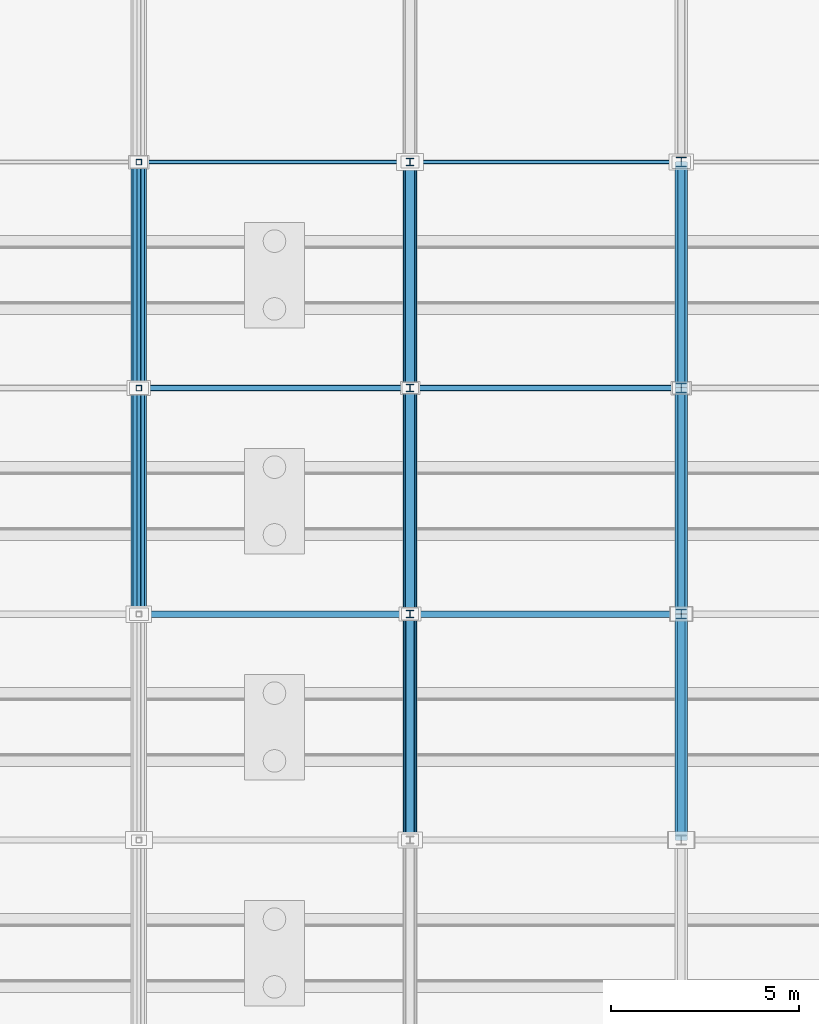
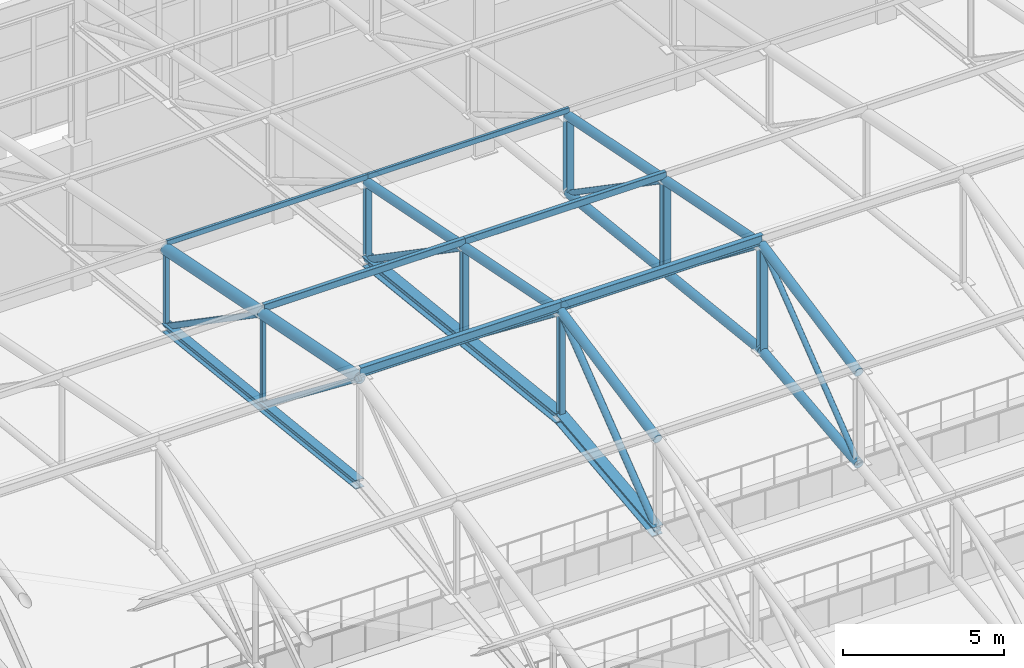
# One storey, part 143 of 293: 38 members.
"""IFC4 building model written with IfcOpenShell, lengths in metres."""

from ifc_helpers import new_model, si_unit, direction, frame, origin, origin_2d, place, context, subcontext, project, spatial, hollow_rectangle, hollow_circle, i_section, extrude, material, material_profile, profile_set, type_object, element, save


model = new_model("IFC4")

# Units and contexts
model_context = context("Model", 3, precision=1e-05, world=origin(), true_north=direction((0.0, 1.0)))
body_context = subcontext(model_context, "Body", "Model", "MODEL_VIEW")
ifc_project = project(units=[si_unit("LENGTHUNIT", "METRE"), si_unit("AREAUNIT", "SQUARE_METRE"), si_unit("VOLUMEUNIT", "CUBIC_METRE"), si_unit("PLANEANGLEUNIT", "RADIAN"), si_unit("MASSUNIT", "GRAM", prefix="KILO")], contexts=[model_context])

# Site, building, storey
site_placement = place(None, origin())
site = spatial("IfcSite", under=ifc_project, at=site_placement, CompositionType="ELEMENT")
building_placement = place(site_placement, origin())
building = spatial("IfcBuilding", under=site, at=building_placement, Name="Kemerveld Promenade Tramway Depot", CompositionType="ELEMENT")
storey_placement = place(building_placement, origin())
storey = spatial("IfcBuildingStorey", under=building, at=storey_placement, Name="L00", CompositionType="ELEMENT", Elevation=0.0)

# Members
ifc_material = material(Name="Steel S355", Category="steel")
ifc_material_profile_1 = material_profile(ifc_material, hollow_rectangle(XDim=0.10009765625, YDim=0.199951171875, WallThickness=0.008056640625, InnerFilletRadius=0.00390625, OuterFilletRadius=0.011962890625, at=origin_2d()), Name="200x100x8.0 RHS")
ifc_profile_set_1 = profile_set([ifc_material_profile_1], Name="Steel S355")
member_type_1 = type_object("IfcMemberType", Name="MB-M03", PredefinedType="BRACE", material=ifc_profile_set_1)
member_1_placement = place(storey_placement, frame((79.199951171875, 120.0, 12.43994140625), z_axis=(0.0, -0.789767329101, 0.613406525793), x_axis=(1.0, 0.0, 0.0)))
element("IfcMember", 1, at=member_1_placement, inside=storey, type_object=member_type_1, Name="TR-12-DG-06", PredefinedType="BRACE", context=body_context, shape_type="SweptSolid", body=[
    extrude(hollow_rectangle(XDim=0.10009765625, YDim=0.199951171875, WallThickness=0.008056640625, InnerFilletRadius=0.00390625, OuterFilletRadius=0.011962890625, at=origin_2d()), origin(), (0.0, 0.0, 1.0), 7.59716796875),
])
member_2_placement = place(storey_placement, frame((79.199951171875, 126.0, 11.780029296875), z_axis=(0.0, -0.824370638462, 0.566050395673), x_axis=(1.0, 0.0, 0.0)))
element("IfcMember", 2, at=member_2_placement, inside=storey, type_object=member_type_1, Name="TR-12-DG-07", PredefinedType="BRACE", context=body_context, shape_type="SweptSolid", body=[
    extrude(hollow_rectangle(XDim=0.10009765625, YDim=0.199951171875, WallThickness=0.008056640625, InnerFilletRadius=0.00390625, OuterFilletRadius=0.011962890625, at=origin_2d()), origin(), (0.0, 0.0, 1.0), 7.2783203125),
])
ifc_material_profile_2 = material_profile(ifc_material, i_section(OverallWidth=0.25634765625, OverallDepth=0.26025390625, WebThickness=0.01025390625, FlangeThickness=0.017333984375, FilletRadius=0.0126953125, at=origin_2d()), Name="254x254x89 UC")
ifc_profile_set_2 = profile_set([ifc_material_profile_2], Name="Steel S355")
member_type_2 = type_object("IfcMemberType", Name="MB-M04", PredefinedType="POST", material=ifc_profile_set_2)
member_3_placement = place(storey_placement, frame((93.60009765625, 114.0, 13.10009765625), z_axis=(0.0, 0.0, 1.0), x_axis=(1.0, 0.0, 0.0)))
element("IfcMember", 3, at=member_3_placement, inside=storey, type_object=member_type_2, Name="TR-14-VT-05", PredefinedType="POST", context=body_context, shape_type="SweptSolid", body=[
    extrude(i_section(OverallWidth=0.25634765625, OverallDepth=0.26025390625, WebThickness=0.01025390625, FlangeThickness=0.017333984375, FilletRadius=0.0126953125, at=origin_2d()), origin(), (0.0, 0.0, 1.0), 4.0),
])
member_4_placement = place(storey_placement, frame((93.60009765625, 120.0, 12.43994140625), z_axis=(0.0, 0.0, 1.0), x_axis=(1.0, 0.0, 0.0)))
element("IfcMember", 4, at=member_4_placement, inside=storey, type_object=member_type_2, Name="TR-14-VT-06", PredefinedType="POST", context=body_context, shape_type="SweptSolid", body=[
    extrude(i_section(OverallWidth=0.25634765625, OverallDepth=0.26025390625, WebThickness=0.01025390625, FlangeThickness=0.017333984375, FilletRadius=0.0126953125, at=origin_2d()), origin(), (0.0, 0.0, 1.0), 3.4599609375),
])
member_5_placement = place(storey_placement, frame((93.60009765625, 126.0, 11.780029296875), z_axis=(0.0, 0.0, 1.0), x_axis=(1.0, 0.0, 0.0)))
element("IfcMember", 5, at=member_5_placement, inside=storey, type_object=member_type_2, Name="TR-14-VT-07", PredefinedType="POST", context=body_context, shape_type="SweptSolid", body=[
    extrude(i_section(OverallWidth=0.25634765625, OverallDepth=0.26025390625, WebThickness=0.01025390625, FlangeThickness=0.017333984375, FilletRadius=0.0126953125, at=origin_2d()), origin(), (0.0, 0.0, 1.0), 2.919921875),
])
ifc_material_profile_3 = material_profile(ifc_material, i_section(OverallWidth=0.172119140625, OverallDepth=0.35791015625, WebThickness=0.008056640625, FlangeThickness=0.012939453125, FilletRadius=0.01025390625, at=origin_2d()), Name="356x171x57 UB")
ifc_profile_set_3 = profile_set([ifc_material_profile_3], Name="Steel S355")
member_type_3 = type_object("IfcMemberType", Name="MB-M07", PredefinedType="PURLIN", material=ifc_profile_set_3)
member_6_placement = place(storey_placement, frame((79.199951171875, 114.0, 17.344970703125), z_axis=(1.0, 0.0, 0.0), x_axis=(0.0, 1.0, 0.0)))
element("IfcMember", 6, at=member_6_placement, inside=storey, type_object=member_type_3, Name="PUR-V1-05-12", PredefinedType="PURLIN", context=body_context, shape_type="SweptSolid", body=[
    extrude(i_section(OverallWidth=0.172119140625, OverallDepth=0.35791015625, WebThickness=0.008056640625, FlangeThickness=0.012939453125, FilletRadius=0.01025390625, at=origin_2d()), origin(), (0.0, 0.0, 1.0), 7.199951171875),
])
member_7_placement = place(storey_placement, frame((86.39990234375, 114.0, 17.344970703125), z_axis=(1.0, 0.0, 0.0), x_axis=(0.0, 1.0, 0.0)))
element("IfcMember", 7, at=member_7_placement, inside=storey, type_object=member_type_3, Name="PUR-V1-05-13", PredefinedType="PURLIN", context=body_context, shape_type="SweptSolid", body=[
    extrude(i_section(OverallWidth=0.172119140625, OverallDepth=0.35791015625, WebThickness=0.008056640625, FlangeThickness=0.012939453125, FilletRadius=0.01025390625, at=origin_2d()), origin(), (0.0, 0.0, 1.0), 7.2001953125),
])
ifc_material_profile_4 = material_profile(ifc_material, i_section(OverallWidth=0.37255859375, OverallDepth=0.3681640625, WebThickness=0.014404296875, FlangeThickness=0.023681640625, FilletRadius=0.01513671875, at=origin_2d()), Name="356x368x177 UC")
ifc_profile_set_4 = profile_set([ifc_material_profile_4], Name="Steel S355")
member_type_4 = type_object("IfcMemberType", Name="MB-M08", PredefinedType="CHORD", material=ifc_profile_set_4)
for number, where, z_axis, x_axis, name in (
    (8, (86.39990234375, 108.0, 12.43994140625), (0.0, 0.994001542248, 0.109366055104), (-1.0, 0.0, 0.0), "TR-13-BC-05"),
    (9, (86.39990234375, 114.0, 13.10009765625), (0.0, 0.994001542248, -0.109366055104), (-1.0, 0.0, 0.0), "TR-13-BC-06"),
    (10, (86.39990234375, 120.0, 12.43994140625), (0.0, 0.994005938353, -0.109326092585), (-1.0, 0.0, 0.0), "TR-13-BC-07"),
):
    element("IfcMember", number, at=place(storey_placement, frame(where, z_axis=z_axis, x_axis=x_axis)), inside=storey, type_object=member_type_4, Name=name, PredefinedType="CHORD", context=body_context, shape_type="SweptSolid", body=[
        extrude(i_section(OverallWidth=0.37255859375, OverallDepth=0.3681640625, WebThickness=0.014404296875, FlangeThickness=0.023681640625, FilletRadius=0.01513671875, at=origin_2d()), origin(), (0.0, 0.0, 1.0), 6.0361328125),
    ])
ifc_material_profile_5 = material_profile(ifc_material, hollow_rectangle(XDim=0.14990234375, YDim=0.25, WallThickness=0.010009765625, InnerFilletRadius=0.0048828125, OuterFilletRadius=0.014892578125, at=origin_2d()), Name="250x150x10.0 RHS")
ifc_profile_set_5 = profile_set([ifc_material_profile_5], Name="Steel S355")
member_type_5 = type_object("IfcMemberType", Name="MB-PR1", PredefinedType="PURLIN", material=ifc_profile_set_5)
member_8_placement = place(storey_placement, frame((79.199951171875, 120.0, 16.14501953125), z_axis=(1.0, 0.0, 0.0), x_axis=(0.0, 1.0, 0.0)))
element("IfcMember", 11, at=member_8_placement, inside=storey, type_object=member_type_5, Name="PUR-V1-06-12", PredefinedType="PURLIN", context=body_context, shape_type="SweptSolid", body=[
    extrude(hollow_rectangle(XDim=0.14990234375, YDim=0.25, WallThickness=0.010009765625, InnerFilletRadius=0.0048828125, OuterFilletRadius=0.014892578125, at=origin_2d()), origin(), (0.0, 0.0, 1.0), 7.199951171875),
])
member_9_placement = place(storey_placement, frame((86.39990234375, 120.0, 16.14501953125), z_axis=(1.0, 0.0, 0.0), x_axis=(0.0, 1.0, 0.0)))
element("IfcMember", 12, at=member_9_placement, inside=storey, type_object=member_type_5, Name="PUR-V1-06-13", PredefinedType="PURLIN", context=body_context, shape_type="SweptSolid", body=[
    extrude(hollow_rectangle(XDim=0.14990234375, YDim=0.25, WallThickness=0.010009765625, InnerFilletRadius=0.0048828125, OuterFilletRadius=0.014892578125, at=origin_2d()), origin(), (0.0, 0.0, 1.0), 7.2001953125),
])
ifc_material_profile_6 = material_profile(ifc_material, hollow_rectangle(XDim=0.10009765625, YDim=0.199951171875, WallThickness=0.008056640625, InnerFilletRadius=0.00390625, OuterFilletRadius=0.011962890625, at=origin_2d()), Name="200x100x8.0 RHS")
ifc_profile_set_6 = profile_set([ifc_material_profile_6], Name="Steel S355")
member_type_6 = type_object("IfcMemberType", Name="MB-PR2", PredefinedType="PURLIN", material=ifc_profile_set_6)
member_10_placement = place(storey_placement, frame((79.199951171875, 126.0, 14.945068359375), z_axis=(1.0, 0.0, 0.0), x_axis=(0.0, 1.0, 0.0)))
element("IfcMember", 13, at=member_10_placement, inside=storey, type_object=member_type_6, Name="PUR-V1-07-12", PredefinedType="PURLIN", context=body_context, shape_type="SweptSolid", body=[
    extrude(hollow_rectangle(XDim=0.10009765625, YDim=0.199951171875, WallThickness=0.008056640625, InnerFilletRadius=0.00390625, OuterFilletRadius=0.011962890625, at=origin_2d()), origin(), (0.0, 0.0, 1.0), 7.199951171875),
])
member_11_placement = place(storey_placement, frame((86.39990234375, 126.0, 14.945068359375), z_axis=(1.0, 0.0, 0.0), x_axis=(0.0, 1.0, 0.0)))
element("IfcMember", 14, at=member_11_placement, inside=storey, type_object=member_type_6, Name="PUR-V1-07-13", PredefinedType="PURLIN", context=body_context, shape_type="SweptSolid", body=[
    extrude(hollow_rectangle(XDim=0.10009765625, YDim=0.199951171875, WallThickness=0.008056640625, InnerFilletRadius=0.00390625, OuterFilletRadius=0.011962890625, at=origin_2d()), origin(), (0.0, 0.0, 1.0), 7.2001953125),
])
ifc_material_profile_7 = material_profile(ifc_material, hollow_circle(Radius=0.122314453125, WallThickness=0.010009765625, at=origin_2d()), Name="244.5x10.0 CHS")
ifc_profile_set_7 = profile_set([ifc_material_profile_7], Name="Steel S355")
member_type_7 = type_object("IfcMemberType", Name="MB-TB1", PredefinedType="BRACE", material=ifc_profile_set_7)
for number, where, z_axis, x_axis, name in (
    (15, (86.39990234375, 108.0, 12.43994140625), (0.0, 0.789767329101, 0.613406525793), (-1.0, 0.0, 0.0), "TR-13-DG-05"),
    (16, (86.39990234375, 120.0, 12.43994140625), (0.0, -0.789767329101, 0.613406525793), (1.0, 0.0, 0.0), "TR-13-DG-06"),
):
    element("IfcMember", number, at=place(storey_placement, frame(where, z_axis=z_axis, x_axis=x_axis)), inside=storey, type_object=member_type_7, Name=name, PredefinedType="BRACE", context=body_context, shape_type="SweptSolid", body=[
        extrude(hollow_circle(Radius=0.122314453125, WallThickness=0.010009765625, at=origin_2d()), origin(), (0.0, 0.0, 1.0), 7.59716796875),
    ])
member_12_placement = place(storey_placement, frame((86.39990234375, 126.0, 11.780029296875), z_axis=(0.0, -0.824370638462, 0.566050395673), x_axis=(1.0, 0.0, 0.0)))
element("IfcMember", 17, at=member_12_placement, inside=storey, type_object=member_type_7, Name="TR-13-DG-07", PredefinedType="BRACE", context=body_context, shape_type="SweptSolid", body=[
    extrude(hollow_circle(Radius=0.122314453125, WallThickness=0.010009765625, at=origin_2d()), origin(), (0.0, 0.0, 1.0), 7.2783203125),
])
ifc_material_profile_8 = material_profile(ifc_material, hollow_circle(Radius=0.096923828125, WallThickness=0.008056640625, at=origin_2d()), Name="193.7x8.0 CHS")
ifc_profile_set_8 = profile_set([ifc_material_profile_8], Name="Steel S355")
member_type_8 = type_object("IfcMemberType", Name="MB-TB2", PredefinedType="BRACE", material=ifc_profile_set_8)
for number, where, z_axis, x_axis, name in (
    (18, (93.60009765625, 108.0, 12.43994140625), (0.0, 0.789767329101, 0.613406525793), (-1.0, 0.0, 0.0), "TR-14-DG-05"),
    (19, (93.60009765625, 120.0, 12.43994140625), (0.0, -0.789767329101, 0.613406525793), (1.0, 0.0, 0.0), "TR-14-DG-06"),
):
    element("IfcMember", number, at=place(storey_placement, frame(where, z_axis=z_axis, x_axis=x_axis)), inside=storey, type_object=member_type_8, Name=name, PredefinedType="BRACE", context=body_context, shape_type="SweptSolid", body=[
        extrude(hollow_circle(Radius=0.096923828125, WallThickness=0.008056640625, at=origin_2d()), origin(), (0.0, 0.0, 1.0), 7.59716796875),
    ])
member_13_placement = place(storey_placement, frame((93.60009765625, 126.0, 11.780029296875), z_axis=(0.0, -0.824370638462, 0.566050395673), x_axis=(1.0, 0.0, 0.0)))
element("IfcMember", 20, at=member_13_placement, inside=storey, type_object=member_type_8, Name="TR-14-DG-07", PredefinedType="BRACE", context=body_context, shape_type="SweptSolid", body=[
    extrude(hollow_circle(Radius=0.096923828125, WallThickness=0.008056640625, at=origin_2d()), origin(), (0.0, 0.0, 1.0), 7.2783203125),
])
ifc_material_profile_9 = material_profile(ifc_material, hollow_circle(Radius=0.203125, WallThickness=0.01611328125, at=origin_2d()), Name="406.4x16.0 CHS")
ifc_profile_set_9 = profile_set([ifc_material_profile_9], Name="Steel S355")
member_type_9 = type_object("IfcMemberType", Name="MB-TC1", PredefinedType="CHORD", material=ifc_profile_set_9)
for number, where, z_axis, x_axis, name in (
    (21, (79.199951171875, 114.0, 17.10009765625), (0.0, 0.980574536798, -0.196146827104), (-1.0, 0.0, 0.0), "TR-12-TC-06"),
    (22, (79.199951171875, 120.0, 15.89990234375), (0.0, 0.980582210276, -0.196108462057), (-1.0, 0.0, 0.0), "TR-12-TC-07"),
):
    element("IfcMember", number, at=place(storey_placement, frame(where, z_axis=z_axis, x_axis=x_axis)), inside=storey, type_object=member_type_9, Name=name, PredefinedType="CHORD", context=body_context, shape_type="SweptSolid", body=[
        extrude(hollow_circle(Radius=0.203125, WallThickness=0.01611328125, at=origin_2d()), origin(), (0.0, 0.0, 1.0), 6.118896484375),
    ])
ifc_material_profile_10 = material_profile(ifc_material, hollow_circle(Radius=0.161865234375, WallThickness=0.012451171875, at=origin_2d()), Name="323.9x12.5 CHS")
ifc_profile_set_10 = profile_set([ifc_material_profile_10], Name="Steel S355")
member_type_10 = type_object("IfcMemberType", Name="MB-TC2", PredefinedType="CHORD", material=ifc_profile_set_10)
for number, where, z_axis, x_axis, name in (
    (23, (86.39990234375, 108.0, 15.89990234375), (0.0, 0.980574536798, 0.196146827104), (-1.0, 0.0, 0.0), "TR-13-TC-05"),
    (24, (86.39990234375, 114.0, 17.10009765625), (0.0, 0.980574536798, -0.196146827104), (-1.0, 0.0, 0.0), "TR-13-TC-06"),
    (25, (86.39990234375, 120.0, 15.89990234375), (0.0, 0.980582210276, -0.196108462057), (-1.0, 0.0, 0.0), "TR-13-TC-07"),
    (26, (93.60009765625, 108.0, 15.89990234375), (0.0, 0.980574536798, 0.196146827104), (-1.0, 0.0, 0.0), "TR-14-TC-05"),
):
    element("IfcMember", number, at=place(storey_placement, frame(where, z_axis=z_axis, x_axis=x_axis)), inside=storey, type_object=member_type_10, Name=name, PredefinedType="CHORD", context=body_context, shape_type="SweptSolid", body=[
        extrude(hollow_circle(Radius=0.161865234375, WallThickness=0.012451171875, at=origin_2d()), origin(), (0.0, 0.0, 1.0), 6.118896484375),
    ])
member_14_placement = place(storey_placement, frame((93.60009765625, 108.0, 12.43994140625), z_axis=(0.0, 0.994001542248, 0.109366055104), x_axis=(-1.0, 0.0, 0.0)))
element("IfcMember", 27, at=member_14_placement, inside=storey, type_object=member_type_10, Name="TR-14-BC-05", PredefinedType="CHORD", context=body_context, shape_type="SweptSolid", body=[
    extrude(hollow_circle(Radius=0.161865234375, WallThickness=0.012451171875, at=origin_2d()), origin(), (0.0, 0.0, 1.0), 6.0361328125),
])
member_15_placement = place(storey_placement, frame((93.60009765625, 114.0, 17.10009765625), z_axis=(0.0, 0.980574536798, -0.196146827104), x_axis=(-1.0, 0.0, 0.0)))
element("IfcMember", 28, at=member_15_placement, inside=storey, type_object=member_type_10, Name="TR-14-TC-06", PredefinedType="CHORD", context=body_context, shape_type="SweptSolid", body=[
    extrude(hollow_circle(Radius=0.161865234375, WallThickness=0.012451171875, at=origin_2d()), origin(), (0.0, 0.0, 1.0), 6.118896484375),
])
member_16_placement = place(storey_placement, frame((93.60009765625, 114.0, 13.10009765625), z_axis=(0.0, 0.994001542248, -0.109366055104), x_axis=(-1.0, 0.0, 0.0)))
element("IfcMember", 29, at=member_16_placement, inside=storey, type_object=member_type_10, Name="TR-14-BC-06", PredefinedType="CHORD", context=body_context, shape_type="SweptSolid", body=[
    extrude(hollow_circle(Radius=0.161865234375, WallThickness=0.012451171875, at=origin_2d()), origin(), (0.0, 0.0, 1.0), 6.0361328125),
])
member_17_placement = place(storey_placement, frame((93.60009765625, 120.0, 15.89990234375), z_axis=(0.0, 0.980582210276, -0.196108462057), x_axis=(-1.0, 0.0, 0.0)))
element("IfcMember", 30, at=member_17_placement, inside=storey, type_object=member_type_10, Name="TR-14-TC-07", PredefinedType="CHORD", context=body_context, shape_type="SweptSolid", body=[
    extrude(hollow_circle(Radius=0.161865234375, WallThickness=0.012451171875, at=origin_2d()), origin(), (0.0, 0.0, 1.0), 6.118896484375),
])
member_18_placement = place(storey_placement, frame((93.60009765625, 120.0, 12.43994140625), z_axis=(0.0, 0.994005938353, -0.109326092585), x_axis=(-1.0, 0.0, 0.0)))
element("IfcMember", 31, at=member_18_placement, inside=storey, type_object=member_type_10, Name="TR-14-BC-07", PredefinedType="CHORD", context=body_context, shape_type="SweptSolid", body=[
    extrude(hollow_circle(Radius=0.161865234375, WallThickness=0.012451171875, at=origin_2d()), origin(), (0.0, 0.0, 1.0), 6.0361328125),
])
ifc_material_profile_11 = material_profile(ifc_material, i_section(OverallWidth=0.307373046875, OverallDepth=0.314453125, WebThickness=0.011962890625, FlangeThickness=0.018798828125, FilletRadius=0.01513671875, at=origin_2d()), Name="305x305x118 UC")
ifc_profile_set_11 = profile_set([ifc_material_profile_11], Name="Steel S355")
member_type_11 = type_object("IfcMemberType", Name="MB-TC4", PredefinedType="CHORD", material=ifc_profile_set_11)
for number, where, z_axis, x_axis, name in (
    (32, (79.199951171875, 114.0, 13.10009765625), (0.0, 0.994001542248, -0.109366055104), (-1.0, 0.0, 0.0), "TR-12-BC-06"),
    (33, (79.199951171875, 120.0, 12.43994140625), (0.0, 0.994005938353, -0.109326092585), (-1.0, 0.0, 0.0), "TR-12-BC-07"),
):
    element("IfcMember", number, at=place(storey_placement, frame(where, z_axis=z_axis, x_axis=x_axis)), inside=storey, type_object=member_type_11, Name=name, PredefinedType="CHORD", context=body_context, shape_type="SweptSolid", body=[
        extrude(i_section(OverallWidth=0.307373046875, OverallDepth=0.314453125, WebThickness=0.011962890625, FlangeThickness=0.018798828125, FilletRadius=0.01513671875, at=origin_2d()), origin(), (0.0, 0.0, 1.0), 6.0361328125),
    ])
ifc_material_profile_12 = material_profile(ifc_material, hollow_rectangle(XDim=0.14990234375, YDim=0.14990234375, WallThickness=0.008056640625, InnerFilletRadius=0.00390625, OuterFilletRadius=0.011962890625, at=origin_2d()), Name="150x150x8.0 SHS")
ifc_profile_set_12 = profile_set([ifc_material_profile_12], Name="Steel S355")
member_type_12 = type_object("IfcMemberType", Name="MB-TP2", PredefinedType="POST", material=ifc_profile_set_12)
member_19_placement = place(storey_placement, frame((79.199951171875, 120.0, 12.43994140625), z_axis=(0.0, 0.0, 1.0), x_axis=(1.0, 0.0, 0.0)))
element("IfcMember", 34, at=member_19_placement, inside=storey, type_object=member_type_12, Name="TR-12-VT-06", PredefinedType="POST", context=body_context, shape_type="SweptSolid", body=[
    extrude(hollow_rectangle(XDim=0.14990234375, YDim=0.14990234375, WallThickness=0.008056640625, InnerFilletRadius=0.00390625, OuterFilletRadius=0.011962890625, at=origin_2d()), origin(), (0.0, 0.0, 1.0), 3.4599609375),
])
member_20_placement = place(storey_placement, frame((79.199951171875, 126.0, 11.780029296875), z_axis=(0.0, 0.0, 1.0), x_axis=(1.0, 0.0, 0.0)))
element("IfcMember", 35, at=member_20_placement, inside=storey, type_object=member_type_12, Name="TR-12-VT-07", PredefinedType="POST", context=body_context, shape_type="SweptSolid", body=[
    extrude(hollow_rectangle(XDim=0.14990234375, YDim=0.14990234375, WallThickness=0.008056640625, InnerFilletRadius=0.00390625, OuterFilletRadius=0.011962890625, at=origin_2d()), origin(), (0.0, 0.0, 1.0), 2.919921875),
])
ifc_material_profile_13 = material_profile(ifc_material, i_section(OverallWidth=0.205810546875, OverallDepth=0.209716796875, WebThickness=0.009521484375, FlangeThickness=0.01416015625, FilletRadius=0.01025390625, at=origin_2d()), Name="203x203x60 UC")
ifc_profile_set_13 = profile_set([ifc_material_profile_13], Name="Steel S355")
member_type_13 = type_object("IfcMemberType", Name="MB-TP3", PredefinedType="POST", material=ifc_profile_set_13)
member_21_placement = place(storey_placement, frame((86.39990234375, 114.0, 13.10009765625), z_axis=(0.0, 0.0, 1.0), x_axis=(1.0, 0.0, 0.0)))
element("IfcMember", 36, at=member_21_placement, inside=storey, type_object=member_type_13, Name="TR-13-VT-05", PredefinedType="POST", context=body_context, shape_type="SweptSolid", body=[
    extrude(i_section(OverallWidth=0.205810546875, OverallDepth=0.209716796875, WebThickness=0.009521484375, FlangeThickness=0.01416015625, FilletRadius=0.01025390625, at=origin_2d()), origin(), (0.0, 0.0, 1.0), 4.0),
])
member_22_placement = place(storey_placement, frame((86.39990234375, 120.0, 12.43994140625), z_axis=(0.0, 0.0, 1.0), x_axis=(1.0, 0.0, 0.0)))
element("IfcMember", 37, at=member_22_placement, inside=storey, type_object=member_type_13, Name="TR-13-VT-06", PredefinedType="POST", context=body_context, shape_type="SweptSolid", body=[
    extrude(i_section(OverallWidth=0.205810546875, OverallDepth=0.209716796875, WebThickness=0.009521484375, FlangeThickness=0.01416015625, FilletRadius=0.01025390625, at=origin_2d()), origin(), (0.0, 0.0, 1.0), 3.4599609375),
])
member_23_placement = place(storey_placement, frame((86.39990234375, 126.0, 11.780029296875), z_axis=(0.0, 0.0, 1.0), x_axis=(1.0, 0.0, 0.0)))
element("IfcMember", 38, at=member_23_placement, inside=storey, type_object=member_type_13, Name="TR-13-VT-07", PredefinedType="POST", context=body_context, shape_type="SweptSolid", body=[
    extrude(i_section(OverallWidth=0.205810546875, OverallDepth=0.209716796875, WebThickness=0.009521484375, FlangeThickness=0.01416015625, FilletRadius=0.01025390625, at=origin_2d()), origin(), (0.0, 0.0, 1.0), 2.919921875),
])

save(model, "model.ifc")
